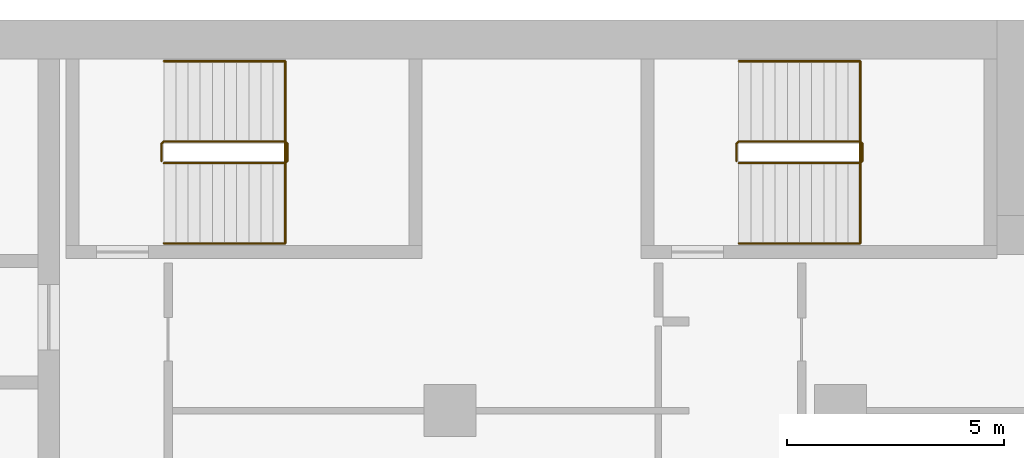
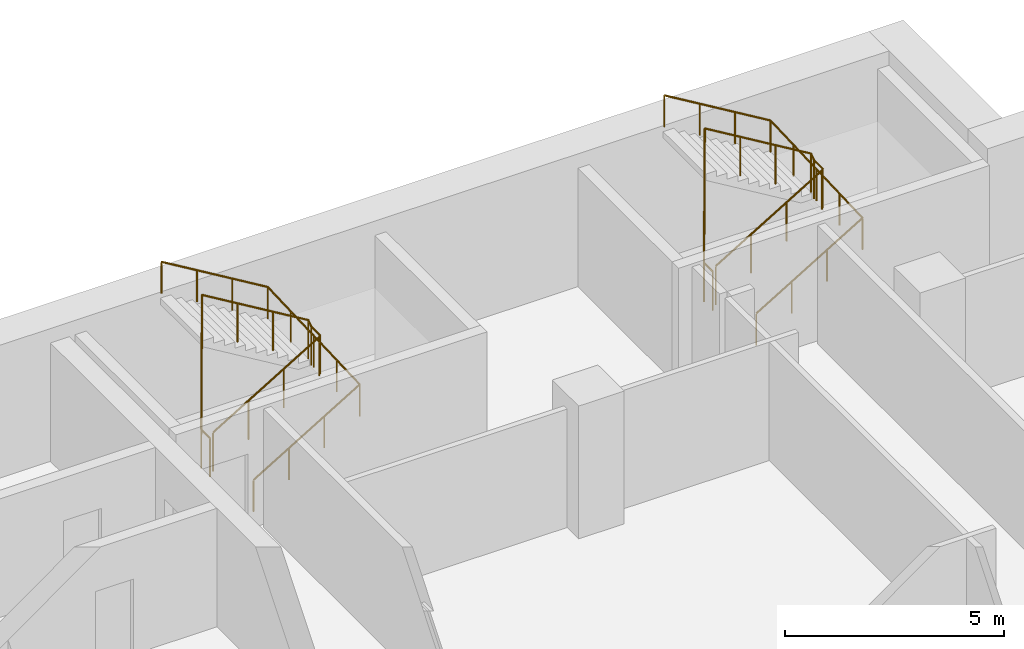
# One storey, part 22 of 22: 4 railings.
"""IFC4 building model written with IfcOpenShell, lengths in metres."""

from ifc_helpers import new_model, si_unit, direction, frame, origin, origin_2d, place, context, subcontext, project, spatial, circle, extrude, material, type_object, element, save


model = new_model("IFC4")

# Units and contexts
model_context = context("Model", 3, precision=1e-05, world=origin(), true_north=direction((0.0, 1.0)))
body_context = subcontext(model_context, "Body", "Model", "MODEL_VIEW")
ifc_project = project(units=[si_unit("LENGTHUNIT", "METRE"), si_unit("AREAUNIT", "SQUARE_METRE"), si_unit("VOLUMEUNIT", "CUBIC_METRE"), si_unit("PLANEANGLEUNIT", "RADIAN"), si_unit("MASSUNIT", "GRAM", prefix="KILO")], contexts=[model_context])

# Site, building, storey
site_placement = place(None, origin())
site = spatial("IfcSite", under=ifc_project, at=site_placement, CompositionType="ELEMENT")
building_placement = place(site_placement, origin())
building = spatial("IfcBuilding", under=site, at=building_placement, Name="Hunhe Ridgeline Campus", CompositionType="ELEMENT")
storey_placement = place(building_placement, frame((0.0, 0.0, 159.699951171875)))
storey = spatial("IfcBuildingStorey", under=building, at=storey_placement, Name="L40", CompositionType="ELEMENT", Elevation=159.699951171875)

# Railings
ifc_material_1 = material(Name="Stainless steel balustrade", Category="steel")
railing_type_1 = type_object("IfcRailingType", Name="Stair guard 1100 stainless", PredefinedType="GUARDRAIL", material=ifc_material_1)
railing_1_placement = place(storey_placement, frame((38.39990234375, 95.699951171875, 0.168212890625)))
element("IfcRailing", 1, at=railing_1_placement, inside=storey, type_object=railing_type_1, Name="L40 stair E1 guard", PredefinedType="GUARDRAIL", context=body_context, shape_type="SweptSolid", body=[
    extrude(circle(Radius=0.02392578125, at=origin_2d()), frame((0.0, 0.0, 1.076171875), z_axis=(0.857242210791, 0.0, 0.514913383045), x_axis=(0.0, 1.0, 0.0)), (0.0, 0.0, 1.0), 3.266357421875),
    extrude(circle(Radius=0.02392578125, at=origin_2d()), frame((2.800048828125, 0.0, 2.7578125), z_axis=(0.707106781187, 0.707106781187, 0.0), x_axis=(-0.707106781187, 0.707106781187, 0.0)), (0.0, 0.0, 1.0), 0.07080078125),
    extrude(circle(Radius=0.02392578125, at=origin_2d()), frame((2.85009765625, 0.050048828125, 2.7578125), z_axis=(0.0, 1.0, 0.0), x_axis=(-1.0, 0.0, 0.0)), (0.0, 0.0, 1.0), 0.39990234375),
    extrude(circle(Radius=0.02392578125, at=origin_2d()), frame((2.85009765625, 0.449951171875, 2.7578125), z_axis=(-0.274243871929, 0.274243871929, 0.92172696468), x_axis=(-0.707106781187, -0.707106781187, 0.0)), (0.0, 0.0, 1.0), 0.1826171875),
    extrude(circle(Radius=0.02392578125, at=origin_2d()), frame((2.800048828125, 0.5, 2.92626953125), z_axis=(-0.857275202839, 0.0, 0.514858452973), x_axis=(0.0, -1.0, 0.0)), (0.0, 0.0, 1.0), 3.26611328125),
    extrude(circle(Radius=0.02392578125, at=origin_2d()), frame((0.0, 0.5, 4.60791015625), z_axis=(-0.013458453615, -0.013524426427, -0.999817963389), x_axis=(0.708833529934, -0.705375805398, 0.0)), (0.0, 0.0, 1.0), 3.70068359375),
    extrude(circle(Radius=0.02392578125, at=origin_2d()), frame((-0.0498046875, 0.449951171875, 0.90771484375), z_axis=(0.0, -1.0, 0.0), x_axis=(1.0, 0.0, 0.0)), (0.0, 0.0, 1.0), 0.39990234375),
    extrude(circle(Radius=0.02099609375, at=origin_2d()), origin(), (0.0, 0.0, 1.0), 1.052001953125),
    extrude(circle(Radius=0.02099609375, at=origin_2d()), frame((0.933349609375, 0.0, 0.560546875)), (0.0, 0.0, 1.0), 1.052001953125),
    extrude(circle(Radius=0.02099609375, at=origin_2d()), frame((1.86669921875, 0.0, 1.121337890625)), (0.0, 0.0, 1.0), 1.052001953125),
    extrude(circle(Radius=0.02099609375, at=origin_2d()), frame((2.800048828125, 0.0, 1.681884765625)), (0.0, 0.0, 1.0), 1.052001953125),
    extrude(circle(Radius=0.02099609375, at=origin_2d()), frame((2.85009765625, 0.050048828125, 1.681884765625)), (0.0, 0.0, 1.0), 1.052001953125),
    extrude(circle(Radius=0.02099609375, at=origin_2d()), frame((2.85009765625, 0.449951171875, 1.681884765625)), (0.0, 0.0, 1.0), 1.052001953125),
    extrude(circle(Radius=0.02099609375, at=origin_2d()), frame((2.800048828125, 0.5, 1.85009765625)), (0.0, 0.0, 1.0), 1.052001953125),
    extrude(circle(Radius=0.02099609375, at=origin_2d()), frame((1.86669921875, 0.5, 2.41064453125)), (0.0, 0.0, 1.0), 1.052001953125),
    extrude(circle(Radius=0.02099609375, at=origin_2d()), frame((0.933349609375, 0.5, 2.97119140625)), (0.0, 0.0, 1.0), 1.052001953125),
    extrude(circle(Radius=0.02099609375, at=origin_2d()), frame((0.0, 0.5, 3.53173828125)), (0.0, 0.0, 1.0), 1.052001953125),
    extrude(circle(Radius=0.02099609375, at=origin_2d()), frame((-0.012451171875, 0.487548828125, 2.606689453125)), (0.0, 0.0, 1.0), 1.052001953125),
    extrude(circle(Radius=0.02099609375, at=origin_2d()), frame((-0.02490234375, 0.47509765625, 1.681640625)), (0.0, 0.0, 1.0), 1.052001953125),
    extrude(circle(Radius=0.02099609375, at=origin_2d()), frame((-0.037353515625, 0.46240234375, 0.7568359375)), (0.0, 0.0, 1.0), 1.052001953125),
    extrude(circle(Radius=0.02099609375, at=origin_2d()), frame((-0.0498046875, 0.449951171875, -0.168212890625)), (0.0, 0.0, 1.0), 1.052001953125),
    extrude(circle(Radius=0.02099609375, at=origin_2d()), frame((-0.0498046875, 0.050048828125, -0.168212890625)), (0.0, 0.0, 1.0), 1.052001953125),
])
railing_2_placement = place(storey_placement, frame((51.64990234375, 95.699951171875, 0.168212890625)))
element("IfcRailing", 2, at=railing_2_placement, inside=storey, type_object=railing_type_1, Name="L40 stair E2 guard", PredefinedType="GUARDRAIL", context=body_context, shape_type="SweptSolid", body=[
    extrude(circle(Radius=0.02392578125, at=origin_2d()), frame((0.0, 0.0, 1.076171875), z_axis=(0.857242210791, 0.0, 0.514913383045), x_axis=(0.0, 1.0, 0.0)), (0.0, 0.0, 1.0), 3.266357421875),
    extrude(circle(Radius=0.02392578125, at=origin_2d()), frame((2.800048828125, 0.0, 2.7578125), z_axis=(0.707106781187, 0.707106781187, 0.0), x_axis=(-0.707106781187, 0.707106781187, 0.0)), (0.0, 0.0, 1.0), 0.07080078125),
    extrude(circle(Radius=0.02392578125, at=origin_2d()), frame((2.85009765625, 0.050048828125, 2.7578125), z_axis=(0.0, 1.0, 0.0), x_axis=(-1.0, 0.0, 0.0)), (0.0, 0.0, 1.0), 0.39990234375),
    extrude(circle(Radius=0.02392578125, at=origin_2d()), frame((2.85009765625, 0.449951171875, 2.7578125), z_axis=(-0.274243871929, 0.274243871929, 0.92172696468), x_axis=(-0.707106781187, -0.707106781187, 0.0)), (0.0, 0.0, 1.0), 0.1826171875),
    extrude(circle(Radius=0.02392578125, at=origin_2d()), frame((2.800048828125, 0.5, 2.92626953125), z_axis=(-0.857275202839, 0.0, 0.514858452973), x_axis=(0.0, -1.0, 0.0)), (0.0, 0.0, 1.0), 3.26611328125),
    extrude(circle(Radius=0.02392578125, at=origin_2d()), frame((0.0, 0.5, 4.60791015625), z_axis=(-0.013458453615, -0.013524426427, -0.999817963389), x_axis=(0.708833529934, -0.705375805398, 0.0)), (0.0, 0.0, 1.0), 3.70068359375),
    extrude(circle(Radius=0.02392578125, at=origin_2d()), frame((-0.0498046875, 0.449951171875, 0.90771484375), z_axis=(0.0, -1.0, 0.0), x_axis=(1.0, 0.0, 0.0)), (0.0, 0.0, 1.0), 0.39990234375),
    extrude(circle(Radius=0.02099609375, at=origin_2d()), origin(), (0.0, 0.0, 1.0), 1.052001953125),
    extrude(circle(Radius=0.02099609375, at=origin_2d()), frame((0.933349609375, 0.0, 0.560546875)), (0.0, 0.0, 1.0), 1.052001953125),
    extrude(circle(Radius=0.02099609375, at=origin_2d()), frame((1.86669921875, 0.0, 1.121337890625)), (0.0, 0.0, 1.0), 1.052001953125),
    extrude(circle(Radius=0.02099609375, at=origin_2d()), frame((2.800048828125, 0.0, 1.681884765625)), (0.0, 0.0, 1.0), 1.052001953125),
    extrude(circle(Radius=0.02099609375, at=origin_2d()), frame((2.85009765625, 0.050048828125, 1.681884765625)), (0.0, 0.0, 1.0), 1.052001953125),
    extrude(circle(Radius=0.02099609375, at=origin_2d()), frame((2.85009765625, 0.449951171875, 1.681884765625)), (0.0, 0.0, 1.0), 1.052001953125),
    extrude(circle(Radius=0.02099609375, at=origin_2d()), frame((2.800048828125, 0.5, 1.85009765625)), (0.0, 0.0, 1.0), 1.052001953125),
    extrude(circle(Radius=0.02099609375, at=origin_2d()), frame((1.86669921875, 0.5, 2.41064453125)), (0.0, 0.0, 1.0), 1.052001953125),
    extrude(circle(Radius=0.02099609375, at=origin_2d()), frame((0.933349609375, 0.5, 2.97119140625)), (0.0, 0.0, 1.0), 1.052001953125),
    extrude(circle(Radius=0.02099609375, at=origin_2d()), frame((0.0, 0.5, 3.53173828125)), (0.0, 0.0, 1.0), 1.052001953125),
    extrude(circle(Radius=0.02099609375, at=origin_2d()), frame((-0.012451171875, 0.487548828125, 2.606689453125)), (0.0, 0.0, 1.0), 1.052001953125),
    extrude(circle(Radius=0.02099609375, at=origin_2d()), frame((-0.02490234375, 0.47509765625, 1.681640625)), (0.0, 0.0, 1.0), 1.052001953125),
    extrude(circle(Radius=0.02099609375, at=origin_2d()), frame((-0.037353515625, 0.46240234375, 0.7568359375)), (0.0, 0.0, 1.0), 1.052001953125),
    extrude(circle(Radius=0.02099609375, at=origin_2d()), frame((-0.0498046875, 0.449951171875, -0.168212890625)), (0.0, 0.0, 1.0), 1.052001953125),
    extrude(circle(Radius=0.02099609375, at=origin_2d()), frame((-0.0498046875, 0.050048828125, -0.168212890625)), (0.0, 0.0, 1.0), 1.052001953125),
])
ifc_material_2 = material(Name="Stainless steel handrail", Category="steel")
railing_type_2 = type_object("IfcRailingType", Name="Stair handrail 900 stainless", PredefinedType="HANDRAIL", material=ifc_material_2)
railing_3_placement = place(storey_placement, frame((38.39990234375, 93.85009765625, 0.168212890625)))
element("IfcRailing", 3, at=railing_3_placement, inside=storey, type_object=railing_type_2, Name="L40 stair E1 handrail", PredefinedType="HANDRAIL", context=body_context, shape_type="SweptSolid", body=[
    extrude(circle(Radius=0.02392578125, at=origin_2d()), frame((0.0, 0.0, 0.8759765625), z_axis=(0.857242210791, 0.0, 0.514913383045), x_axis=(0.0, 1.0, 0.0)), (0.0, 0.0, 1.0), 3.266357421875),
    extrude(circle(Radius=0.02392578125, at=origin_2d()), frame((2.800048828125, 0.0, 2.5576171875), z_axis=(0.0, 0.999198916169, 0.040019069537), x_axis=(-1.0, 0.0, 0.0)), (0.0, 0.0, 1.0), 4.203369140625),
    extrude(circle(Radius=0.02392578125, at=origin_2d()), frame((2.800048828125, 4.199951171875, 2.72607421875), z_axis=(-0.857275202839, 0.0, 0.514858452973), x_axis=(0.0, -1.0, 0.0)), (0.0, 0.0, 1.0), 3.26611328125),
    extrude(circle(Radius=0.02099609375, at=origin_2d()), origin(), (0.0, 0.0, 1.0), 0.851806640625),
    extrude(circle(Radius=0.02099609375, at=origin_2d()), frame((0.933349609375, 0.0, 0.560546875)), (0.0, 0.0, 1.0), 0.851806640625),
    extrude(circle(Radius=0.02099609375, at=origin_2d()), frame((1.86669921875, 0.0, 1.121337890625)), (0.0, 0.0, 1.0), 0.851806640625),
    extrude(circle(Radius=0.02099609375, at=origin_2d()), frame((2.800048828125, 0.0, 1.681884765625)), (0.0, 0.0, 1.0), 0.851806640625),
    extrude(circle(Radius=0.02099609375, at=origin_2d()), frame((2.800048828125, 1.050048828125, 1.723876953125)), (0.0, 0.0, 1.0), 0.851806640625),
    extrude(circle(Radius=0.02099609375, at=origin_2d()), frame((2.800048828125, 2.10009765625, 1.76611328125)), (0.0, 0.0, 1.0), 0.851806640625),
    extrude(circle(Radius=0.02099609375, at=origin_2d()), frame((2.800048828125, 3.14990234375, 1.80810546875)), (0.0, 0.0, 1.0), 0.851806640625),
    extrude(circle(Radius=0.02099609375, at=origin_2d()), frame((2.800048828125, 4.199951171875, 1.85009765625)), (0.0, 0.0, 1.0), 0.851806640625),
    extrude(circle(Radius=0.02099609375, at=origin_2d()), frame((1.86669921875, 4.199951171875, 2.41064453125)), (0.0, 0.0, 1.0), 0.851806640625),
    extrude(circle(Radius=0.02099609375, at=origin_2d()), frame((0.933349609375, 4.199951171875, 2.97119140625)), (0.0, 0.0, 1.0), 0.851806640625),
    extrude(circle(Radius=0.02099609375, at=origin_2d()), frame((0.0, 4.199951171875, 3.53173828125)), (0.0, 0.0, 1.0), 0.851806640625),
])
railing_4_placement = place(storey_placement, frame((51.64990234375, 93.85009765625, 0.168212890625)))
element("IfcRailing", 4, at=railing_4_placement, inside=storey, type_object=railing_type_2, Name="L40 stair E2 handrail", PredefinedType="HANDRAIL", context=body_context, shape_type="SweptSolid", body=[
    extrude(circle(Radius=0.02392578125, at=origin_2d()), frame((0.0, 0.0, 0.8759765625), z_axis=(0.857242210791, 0.0, 0.514913383045), x_axis=(0.0, 1.0, 0.0)), (0.0, 0.0, 1.0), 3.266357421875),
    extrude(circle(Radius=0.02392578125, at=origin_2d()), frame((2.800048828125, 0.0, 2.5576171875), z_axis=(0.0, 0.999198916169, 0.040019069537), x_axis=(-1.0, 0.0, 0.0)), (0.0, 0.0, 1.0), 4.203369140625),
    extrude(circle(Radius=0.02392578125, at=origin_2d()), frame((2.800048828125, 4.199951171875, 2.72607421875), z_axis=(-0.857275202839, 0.0, 0.514858452973), x_axis=(0.0, -1.0, 0.0)), (0.0, 0.0, 1.0), 3.26611328125),
    extrude(circle(Radius=0.02099609375, at=origin_2d()), origin(), (0.0, 0.0, 1.0), 0.851806640625),
    extrude(circle(Radius=0.02099609375, at=origin_2d()), frame((0.933349609375, 0.0, 0.560546875)), (0.0, 0.0, 1.0), 0.851806640625),
    extrude(circle(Radius=0.02099609375, at=origin_2d()), frame((1.86669921875, 0.0, 1.121337890625)), (0.0, 0.0, 1.0), 0.851806640625),
    extrude(circle(Radius=0.02099609375, at=origin_2d()), frame((2.800048828125, 0.0, 1.681884765625)), (0.0, 0.0, 1.0), 0.851806640625),
    extrude(circle(Radius=0.02099609375, at=origin_2d()), frame((2.800048828125, 1.050048828125, 1.723876953125)), (0.0, 0.0, 1.0), 0.851806640625),
    extrude(circle(Radius=0.02099609375, at=origin_2d()), frame((2.800048828125, 2.10009765625, 1.76611328125)), (0.0, 0.0, 1.0), 0.851806640625),
    extrude(circle(Radius=0.02099609375, at=origin_2d()), frame((2.800048828125, 3.14990234375, 1.80810546875)), (0.0, 0.0, 1.0), 0.851806640625),
    extrude(circle(Radius=0.02099609375, at=origin_2d()), frame((2.800048828125, 4.199951171875, 1.85009765625)), (0.0, 0.0, 1.0), 0.851806640625),
    extrude(circle(Radius=0.02099609375, at=origin_2d()), frame((1.86669921875, 4.199951171875, 2.41064453125)), (0.0, 0.0, 1.0), 0.851806640625),
    extrude(circle(Radius=0.02099609375, at=origin_2d()), frame((0.933349609375, 4.199951171875, 2.97119140625)), (0.0, 0.0, 1.0), 0.851806640625),
    extrude(circle(Radius=0.02099609375, at=origin_2d()), frame((0.0, 4.199951171875, 3.53173828125)), (0.0, 0.0, 1.0), 0.851806640625),
])

save(model, "model.ifc")
